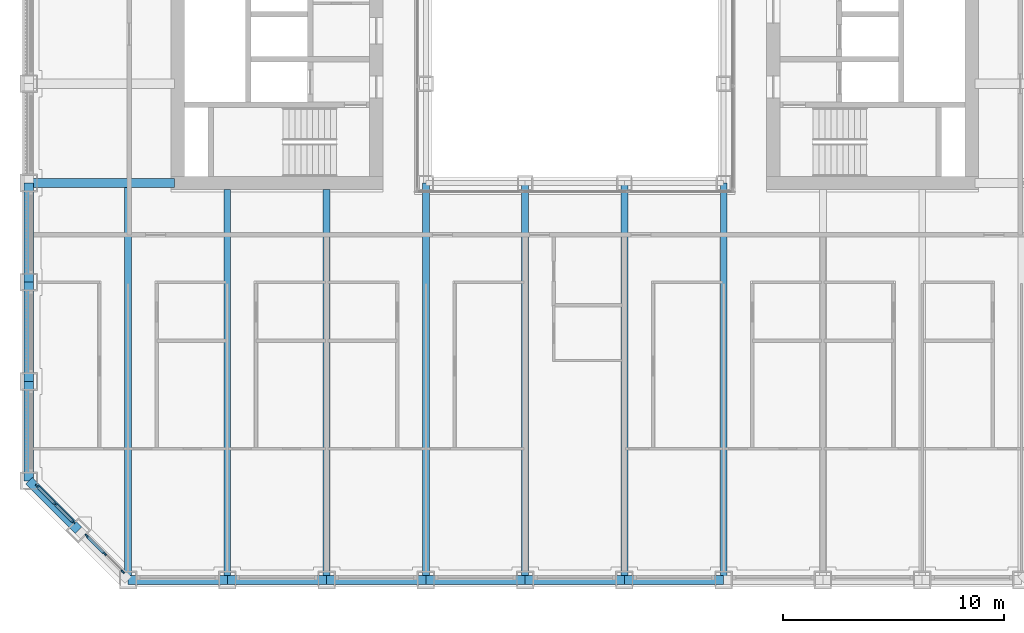
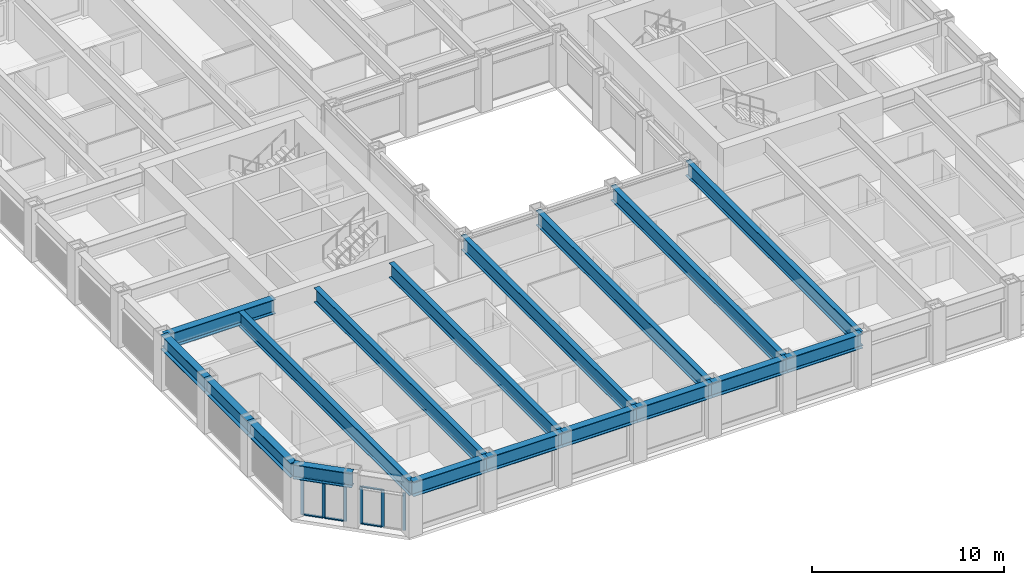
# One storey, part 2 of 20: 18 beams, 12 members, 2 elements without a shape of their own.
"""IFC4 building model written with IfcOpenShell, lengths in metres."""

from ifc_helpers import new_model, si_unit, direction, frame, origin, origin_2d, place, context, subcontext, project, spatial, rectangle, i_section, extrude, material, material_profile, profile_set, type_object, element, aggregate, save


model = new_model("IFC4")

# Units and contexts
model_context = context("Model", 3, precision=1e-05, world=origin(), true_north=direction((0.0, 1.0)))
body_context = subcontext(model_context, "Body", "Model", "MODEL_VIEW")
ifc_project = project(units=[si_unit("LENGTHUNIT", "METRE"), si_unit("AREAUNIT", "SQUARE_METRE"), si_unit("VOLUMEUNIT", "CUBIC_METRE"), si_unit("PLANEANGLEUNIT", "RADIAN"), si_unit("MASSUNIT", "GRAM", prefix="KILO")], contexts=[model_context])

# Site, building, storey
site_placement = place(None, origin())
site = spatial("IfcSite", under=ifc_project, at=site_placement, CompositionType="ELEMENT")
building_placement = place(site_placement, origin())
building = spatial("IfcBuilding", under=site, at=building_placement, Name="Msasa Ring Tower", CompositionType="ELEMENT")
storey_placement = place(building_placement, frame((0.0, 0.0, 61.5)))
storey = spatial("IfcBuildingStorey", under=building, at=storey_placement, Name="L15", CompositionType="ELEMENT", Elevation=61.5)

# Curtain wall, members
ifc_material_1 = material(Name="Aluminium curtain wall with clear glass", Category="aluminium")
curtain_wall_type = type_object("IfcCurtainWallType", Name="CW-C CHAMFER CORNER CURTAIN WALL", PredefinedType="NOTDEFINED", material=ifc_material_1)
curtain_wall_1_placement = place(storey_placement, origin())
curtain_wall_1 = element("IfcCurtainWall", 1, at=curtain_wall_1_placement, inside=storey, type_object=curtain_wall_type, Name="Chamfer corner curtain wall SW L15", PredefinedType="NOTDEFINED")
ifc_material_2 = material(Name="Aluminium mullion", Category="aluminium")
ifc_material_profile_1 = material_profile(ifc_material_2, rectangle(XDim=0.06494140625, YDim=0.179931640625, at=origin_2d()), Name="AL 65x180")
ifc_profile_set_1 = profile_set([ifc_material_profile_1], Name="Aluminium mullion")
member_type_1 = type_object("IfcMemberType", Name="CW-C MULLION 65x180", PredefinedType="MULLION", material=ifc_profile_set_1)
member_1_placement = place(storey_placement, frame((-24.369873046875, -20.48876953125, 0.0), z_axis=(0.0, 0.0, 1.0), x_axis=(0.707106781187, 0.707106781187, 0.0)))
member_1 = element("IfcMember", 2, at=member_1_placement, type_object=member_type_1, Name="CW-C mullion 1", PredefinedType="MULLION", context=body_context, shape_type="SweptSolid", body=[
    extrude(rectangle(XDim=0.06494140625, YDim=0.179931640625, at=origin_2d()), origin(), (0.0, 0.0, 1.0), 2.37890625),
])
member_2_placement = place(storey_placement, frame((-23.55419921875, -21.30419921875, 0.0), z_axis=(0.0, 0.0, 1.0), x_axis=(0.707106781187, 0.707106781187, 0.0)))
member_2 = element("IfcMember", 3, at=member_2_placement, type_object=member_type_1, Name="CW-C mullion 2", PredefinedType="MULLION", context=body_context, shape_type="SweptSolid", body=[
    extrude(rectangle(XDim=0.06494140625, YDim=0.179931640625, at=origin_2d()), origin(), (0.0, 0.0, 1.0), 2.37890625),
])
member_3_placement = place(storey_placement, frame((-22.73876953125, -22.119873046875, 0.0), z_axis=(0.0, 0.0, 1.0), x_axis=(0.707106781187, 0.707106781187, 0.0)))
member_3 = element("IfcMember", 4, at=member_3_placement, type_object=member_type_1, Name="CW-C mullion 3", PredefinedType="MULLION", context=body_context, shape_type="SweptSolid", body=[
    extrude(rectangle(XDim=0.06494140625, YDim=0.179931640625, at=origin_2d()), origin(), (0.0, 0.0, 1.0), 2.37890625),
])

curtain_wall_2_placement = place(storey_placement, origin())
curtain_wall_2 = element("IfcCurtainWall", 5, at=curtain_wall_2_placement, inside=storey, type_object=curtain_wall_type, Name="Chamfer corner curtain wall SW L15", PredefinedType="NOTDEFINED")
member_4_placement = place(storey_placement, frame((-22.119873046875, -22.73876953125, 0.0), z_axis=(0.0, 0.0, 1.0), x_axis=(0.707106781187, 0.707106781187, 0.0)))
member_4 = element("IfcMember", 6, at=member_4_placement, type_object=member_type_1, Name="CW-C mullion 1", PredefinedType="MULLION", context=body_context, shape_type="SweptSolid", body=[
    extrude(rectangle(XDim=0.06494140625, YDim=0.179931640625, at=origin_2d()), origin(), (0.0, 0.0, 1.0), 2.37890625),
])
member_5_placement = place(storey_placement, frame((-21.30419921875, -23.55419921875, 0.0), z_axis=(0.0, 0.0, 1.0), x_axis=(0.707106781187, 0.707106781187, 0.0)))
member_5 = element("IfcMember", 7, at=member_5_placement, type_object=member_type_1, Name="CW-C mullion 2", PredefinedType="MULLION", context=body_context, shape_type="SweptSolid", body=[
    extrude(rectangle(XDim=0.06494140625, YDim=0.179931640625, at=origin_2d()), origin(), (0.0, 0.0, 1.0), 2.37890625),
])
member_6_placement = place(storey_placement, frame((-20.48876953125, -24.369873046875, 0.0), z_axis=(0.0, 0.0, 1.0), x_axis=(0.707106781187, 0.707106781187, 0.0)))
member_6 = element("IfcMember", 8, at=member_6_placement, type_object=member_type_1, Name="CW-C mullion 3", PredefinedType="MULLION", context=body_context, shape_type="SweptSolid", body=[
    extrude(rectangle(XDim=0.06494140625, YDim=0.179931640625, at=origin_2d()), origin(), (0.0, 0.0, 1.0), 2.37890625),
])

# Member
ifc_material_3 = material(Name="Aluminium transom", Category="aluminium")
ifc_material_profile_2 = material_profile(ifc_material_3, rectangle(XDim=0.139892578125, YDim=0.06494140625, at=origin_2d()), Name="AL 65x140")
ifc_profile_set_2 = profile_set([ifc_material_profile_2], Name="Aluminium transom")
member_type_2 = type_object("IfcMemberType", Name="CW-C TRANSOM 65x140", PredefinedType="USERDEFINED", material=ifc_profile_set_2)
member_7_placement = place(storey_placement, frame((-24.346923828125, -20.51171875, 0.032470703125), z_axis=(0.707106781187, -0.707106781187, 0.0), x_axis=(0.707106781187, 0.707106781187, 0.0)))
member_7 = element("IfcMember", 9, at=member_7_placement, type_object=member_type_2, Name="CW-C transom 1.1", ObjectType="TRANSOM", PredefinedType="USERDEFINED", context=body_context, shape_type="SweptSolid", body=[
    extrude(rectangle(XDim=0.139892578125, YDim=0.06494140625, at=origin_2d()), origin(), (0.0, 0.0, 1.0), 1.08837890625),
])

member_8_placement = place(storey_placement, frame((-24.346923828125, -20.51171875, 2.346435546875), z_axis=(0.707106781187, -0.707106781187, 0.0), x_axis=(0.707106781187, 0.707106781187, 0.0)))
member_8 = element("IfcMember", 10, at=member_8_placement, type_object=member_type_2, Name="CW-C transom 1.2", ObjectType="TRANSOM", PredefinedType="USERDEFINED", context=body_context, shape_type="SweptSolid", body=[
    extrude(rectangle(XDim=0.139892578125, YDim=0.06494140625, at=origin_2d()), origin(), (0.0, 0.0, 1.0), 1.08837890625),
])

member_9_placement = place(storey_placement, frame((-23.53125, -21.327392578125, 0.032470703125), z_axis=(0.707106781187, -0.707106781187, 0.0), x_axis=(0.707106781187, 0.707106781187, 0.0)))
member_9 = element("IfcMember", 11, at=member_9_placement, type_object=member_type_2, Name="CW-C transom 2.1", ObjectType="TRANSOM", PredefinedType="USERDEFINED", context=body_context, shape_type="SweptSolid", body=[
    extrude(rectangle(XDim=0.139892578125, YDim=0.06494140625, at=origin_2d()), origin(), (0.0, 0.0, 1.0), 1.08837890625),
])

member_10_placement = place(storey_placement, frame((-23.53125, -21.327392578125, 2.346435546875), z_axis=(0.707106781187, -0.707106781187, 0.0), x_axis=(0.707106781187, 0.707106781187, 0.0)))
member_10 = element("IfcMember", 12, at=member_10_placement, type_object=member_type_2, Name="CW-C transom 2.2", ObjectType="TRANSOM", PredefinedType="USERDEFINED", context=body_context, shape_type="SweptSolid", body=[
    extrude(rectangle(XDim=0.139892578125, YDim=0.06494140625, at=origin_2d()), origin(), (0.0, 0.0, 1.0), 1.08837890625),
])

aggregate(curtain_wall_1, [member_1, member_2, member_3, member_7, member_8, member_9, member_10])

member_11_placement = place(storey_placement, frame((-22.096923828125, -22.76171875, 0.032470703125), z_axis=(0.707106781187, -0.707106781187, 0.0), x_axis=(0.707106781187, 0.707106781187, 0.0)))
member_11 = element("IfcMember", 13, at=member_11_placement, type_object=member_type_2, Name="CW-C transom 1.1", ObjectType="TRANSOM", PredefinedType="USERDEFINED", context=body_context, shape_type="SweptSolid", body=[
    extrude(rectangle(XDim=0.139892578125, YDim=0.06494140625, at=origin_2d()), origin(), (0.0, 0.0, 1.0), 1.08837890625),
])

member_12_placement = place(storey_placement, frame((-22.096923828125, -22.76171875, 2.346435546875), z_axis=(0.707106781187, -0.707106781187, 0.0), x_axis=(0.707106781187, 0.707106781187, 0.0)))
member_12 = element("IfcMember", 14, at=member_12_placement, type_object=member_type_2, Name="CW-C transom 1.2", ObjectType="TRANSOM", PredefinedType="USERDEFINED", context=body_context, shape_type="SweptSolid", body=[
    extrude(rectangle(XDim=0.139892578125, YDim=0.06494140625, at=origin_2d()), origin(), (0.0, 0.0, 1.0), 1.08837890625),
])

aggregate(curtain_wall_2, [member_4, member_5, member_6, member_11, member_12])

# Beams
ifc_material_4 = material(Name="Steel S355", Category="steel")
ifc_material_profile_3 = material_profile(ifc_material_4, i_section(OverallWidth=0.3076171875, OverallDepth=0.926513671875, WebThickness=0.01953125, FlangeThickness=0.031982421875, FilletRadius=0.01904296875, at=origin_2d()), Name="UB 914x305x289")
ifc_profile_set_3 = profile_set([ifc_material_profile_3], Name="Steel S355")
beam_type_1 = type_object("IfcBeamType", Name="FB3 UB 914x305x289", PredefinedType="BEAM", material=ifc_profile_set_3)
beam_1_placement = place(storey_placement, frame((-20.25, -24.75, 2.836669921875), z_axis=(0.0, 1.0, 0.0), x_axis=(-1.0, 0.0, 0.0)))
element("IfcBeam", 15, at=beam_1_placement, inside=storey, type_object=beam_type_1, Name="Floor beam S-20.25 under L16", PredefinedType="BEAM", context=body_context, shape_type="SweptSolid", body=[
    extrude(i_section(OverallWidth=0.3076171875, OverallDepth=0.926513671875, WebThickness=0.01953125, FlangeThickness=0.031982421875, FilletRadius=0.01904296875, at=origin_2d()), origin(), (0.0, 0.0, 1.0), 17.789794921875),
])
for number, where, z_axis, x_axis, name in (
    (16, (-15.75, -24.75, 2.836669921875), (0.0, 1.0, 0.0), (-1.0, 0.0, 0.0), "Floor beam S-15.75 under L16"),
    (17, (-11.25, -24.75, 2.836669921875), (0.0, 1.0, 0.0), (-1.0, 0.0, 0.0), "Floor beam S-11.25 under L16"),
):
    element("IfcBeam", number, at=place(storey_placement, frame(where, z_axis=z_axis, x_axis=x_axis)), inside=storey, type_object=beam_type_1, Name=name, PredefinedType="BEAM", context=body_context, shape_type="SweptSolid", body=[
        extrude(i_section(OverallWidth=0.3076171875, OverallDepth=0.926513671875, WebThickness=0.01953125, FlangeThickness=0.031982421875, FilletRadius=0.01904296875, at=origin_2d()), origin(), (0.0, 0.0, 1.0), 17.699951171875),
    ])
for number, where, z_axis, x_axis, name in (
    (18, (-6.75, -24.75, 2.836669921875), (0.0, 1.0, 0.0), (-1.0, 0.0, 0.0), "Floor beam S-6.75 under L16"),
    (19, (-2.25, -24.75, 2.836669921875), (0.0, 1.0, 0.0), (-1.0, 0.0, 0.0), "Floor beam S-2.25 under L16"),
    (20, (2.25, -24.75, 2.836669921875), (0.0, 1.0, 0.0), (-1.0, 0.0, 0.0), "Floor beam S+2.25 under L16"),
    (21, (6.75, -24.75, 2.836669921875), (0.0, 1.0, 0.0), (-1.0, 0.0, 0.0), "Floor beam S+6.75 under L16"),
):
    element("IfcBeam", number, at=place(storey_placement, frame(where, z_axis=z_axis, x_axis=x_axis)), inside=storey, type_object=beam_type_1, Name=name, PredefinedType="BEAM", context=body_context, shape_type="SweptSolid", body=[
        extrude(i_section(OverallWidth=0.3076171875, OverallDepth=0.926513671875, WebThickness=0.01953125, FlangeThickness=0.031982421875, FilletRadius=0.01904296875, at=origin_2d()), origin(), (0.0, 0.0, 1.0), 18.0),
    ])
ifc_material_5 = material(Name="Steel S355", Category="steel")
ifc_material_profile_4 = material_profile(ifc_material_5, i_section(OverallWidth=0.42041015625, OverallDepth=0.9208984375, WebThickness=0.021484375, FlangeThickness=0.03662109375, FilletRadius=0.024169921875, at=origin_2d()), Name="UB 914x419x388")
ifc_profile_set_4 = profile_set([ifc_material_profile_4], Name="Steel S355")
beam_type_2 = type_object("IfcBeamType", Name="GB1 UB 914x419x388", PredefinedType="BEAM", material=ifc_profile_set_4)
beam_2_placement = place(storey_placement, frame((-18.14990234375, -6.75, 2.839599609375), z_axis=(-1.0, 0.0, 0.0), x_axis=(0.0, -1.0, 0.0)))
element("IfcBeam", 22, at=beam_2_placement, inside=storey, type_object=beam_type_2, Name="Girder W -6.75 under L16", PredefinedType="BEAM", context=body_context, shape_type="SweptSolid", body=[
    extrude(i_section(OverallWidth=0.42041015625, OverallDepth=0.9208984375, WebThickness=0.021484375, FlangeThickness=0.03662109375, FilletRadius=0.024169921875, at=origin_2d()), origin(), (0.0, 0.0, 1.0), 6.60009765625),
])
ifc_material_6 = material(Name="Steel S355", Category="steel")
ifc_material_profile_5 = material_profile(ifc_material_6, i_section(OverallWidth=0.42041015625, OverallDepth=0.9208984375, WebThickness=0.021484375, FlangeThickness=0.03662109375, FilletRadius=0.024169921875, at=origin_2d()), Name="UB 914x419x388")
ifc_profile_set_5 = profile_set([ifc_material_profile_5], Name="Steel S355")
beam_type_3 = type_object("IfcBeamType", Name="SB1 UB 914x419x388", PredefinedType="SPANDREL", material=ifc_profile_set_5)
for number, where, z_axis, x_axis, name in (
    (23, (-24.75, -6.75, 2.839599609375), (0.0, -1.0, 0.0), (1.0, 0.0, 0.0), "Spandrel W-6.75 to W-11.25 under L16"),
    (24, (-24.75, -11.25, 2.839599609375), (0.0, -1.0, 0.0), (1.0, 0.0, 0.0), "Spandrel W-11.25 to W-15.75 under L16"),
    (25, (-24.75, -15.75, 2.839599609375), (0.0, -1.0, 0.0), (1.0, 0.0, 0.0), "Spandrel W-15.75 to W-20.25 under L16"),
):
    element("IfcBeam", number, at=place(storey_placement, frame(where, z_axis=z_axis, x_axis=x_axis)), inside=storey, type_object=beam_type_3, Name=name, PredefinedType="SPANDREL", context=body_context, shape_type="SweptSolid", body=[
        extrude(i_section(OverallWidth=0.42041015625, OverallDepth=0.9208984375, WebThickness=0.021484375, FlangeThickness=0.03662109375, FilletRadius=0.024169921875, at=origin_2d()), origin(), (0.0, 0.0, 1.0), 4.5),
    ])
beam_3_placement = place(storey_placement, frame((-24.75, -20.25, 2.839599609375), z_axis=(0.707106781187, -0.707106781187, 0.0), x_axis=(0.707106781187, 0.707106781187, 0.0)))
element("IfcBeam", 26, at=beam_3_placement, inside=storey, type_object=beam_type_3, Name="Spandrel W-20.25 to SW under L16", PredefinedType="SPANDREL", context=body_context, shape_type="SweptSolid", body=[
    extrude(i_section(OverallWidth=0.42041015625, OverallDepth=0.9208984375, WebThickness=0.021484375, FlangeThickness=0.03662109375, FilletRadius=0.024169921875, at=origin_2d()), origin(), (0.0, 0.0, 1.0), 3.181884765625),
])
for number, where, z_axis, x_axis, name in (
    (27, (-20.25, -24.75, 2.839599609375), (1.0, 0.0, 0.0), (0.0, 1.0, 0.0), "Spandrel S-20.25 to S-15.75 under L16"),
    (28, (-15.75, -24.75, 2.839599609375), (1.0, 0.0, 0.0), (0.0, 1.0, 0.0), "Spandrel S-15.75 to S-11.25 under L16"),
    (29, (-11.25, -24.75, 2.839599609375), (1.0, 0.0, 0.0), (0.0, 1.0, 0.0), "Spandrel S-11.25 to S-6.75 under L16"),
    (30, (-6.75, -24.75, 2.839599609375), (1.0, 0.0, 0.0), (0.0, 1.0, 0.0), "Spandrel S-6.75 to S-2.25 under L16"),
    (31, (-2.25, -24.75, 2.839599609375), (1.0, 0.0, 0.0), (0.0, 1.0, 0.0), "Spandrel S-2.25 to S+2.25 under L16"),
    (32, (2.25, -24.75, 2.839599609375), (1.0, 0.0, 0.0), (0.0, 1.0, 0.0), "Spandrel S+2.25 to S+6.75 under L16"),
):
    element("IfcBeam", number, at=place(storey_placement, frame(where, z_axis=z_axis, x_axis=x_axis)), inside=storey, type_object=beam_type_3, Name=name, PredefinedType="SPANDREL", context=body_context, shape_type="SweptSolid", body=[
        extrude(i_section(OverallWidth=0.42041015625, OverallDepth=0.9208984375, WebThickness=0.021484375, FlangeThickness=0.03662109375, FilletRadius=0.024169921875, at=origin_2d()), origin(), (0.0, 0.0, 1.0), 4.5),
    ])

save(model, "model.ifc")
